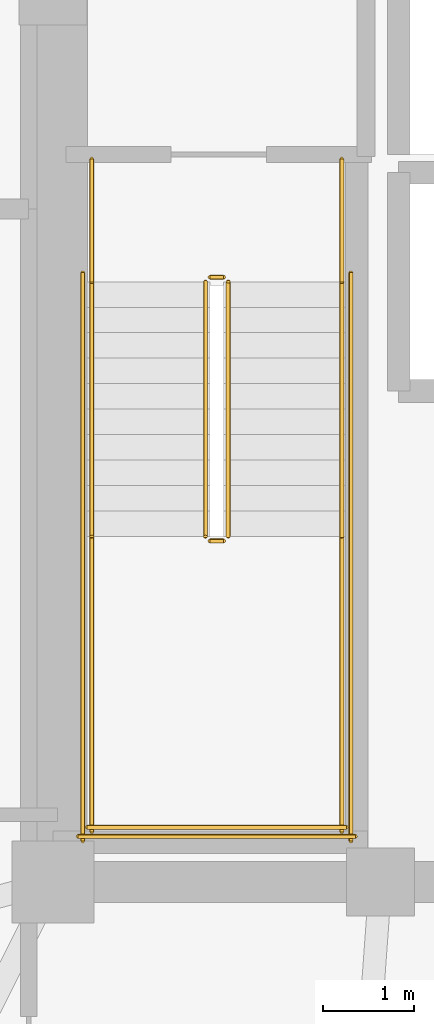
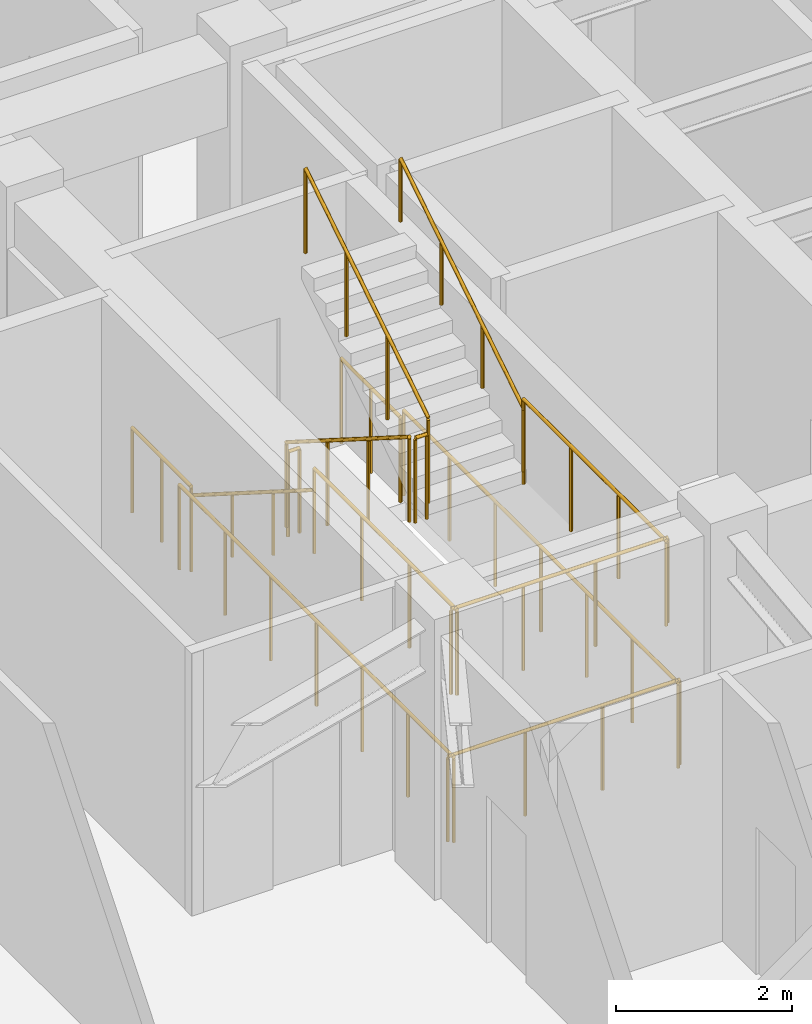
# One storey, part 11 of 12: 14 railings.
"""IFC4 building model written with IfcOpenShell, lengths in metres."""

import ifcopenshell
import ifcopenshell.guid

model = None  # the IFC model being written
_history = None  # IfcOwnerHistory: only IFC2X3 demands one
_inside = {}  # id of a spatial element -> (the spatial element, [elements in it])
_under = {}  # id of a project, library or spatial element -> (it, [spatial elements below it])
_declared = {}  # id of a project -> (the project, [libraries it declares])
_typed = {}  # id of a type object -> (the type object, [elements of that type])
_made_of = {}  # id of a material, layer set ... -> (it, [elements and type objects made of it])


def new_model(schema):
    """Start an empty IFC model of exactly this schema.

    Asked for "IFC4X3", IfcOpenShell would pick the latest addendum, in which some entities
    have other attributes; the version numbers below select the first issue.
    IFC2X3 requires an IfcOwnerHistory on every rooted entity: one is made here for all.
    """
    global model, _history
    if schema == "IFC4X3":
        model = ifcopenshell.file(schema_version=(4, 3, 0, 0))
    else:
        model = ifcopenshell.file(schema=schema)
    _inside.clear()
    _under.clear()
    _declared.clear()
    _typed.clear()
    _made_of.clear()
    _history = None
    if model.schema == "IFC2X3":
        org = make("IfcOrganization", Name="unknown")
        user = make(
            "IfcPersonAndOrganization",
            ThePerson=make("IfcPerson", FamilyName="unknown"),
            TheOrganization=org,
        )
        app = make(
            "IfcApplication",
            ApplicationDeveloper=org,
            Version="unknown",
            ApplicationFullName="unknown",
            ApplicationIdentifier="unknown",
        )
        _history = make(
            "IfcOwnerHistory",
            OwningUser=user,
            OwningApplication=app,
            ChangeAction="ADDED",
            CreationDate=0,
        )
    return model


def make(cls, **values):
    """One entity of the class cls with the attributes given. An attribute that is None is left unset."""
    return model.create_entity(
        cls, **{name: value for name, value in values.items() if value is not None}
    )


def rooted(cls, **values):
    """An entity with a GlobalId (a new one), such as an element, a storey or a relation."""
    return make(cls, GlobalId=ifcopenshell.guid.new(), OwnerHistory=_history, **values)


def si_unit(unit_type, name, prefix=None):
    """IfcSIUnit, for example si_unit("LENGTHUNIT", "METRE", prefix="MILLI")."""
    return make("IfcSIUnit", UnitType=unit_type, Prefix=prefix, Name=name)


def assignment(units):
    """IfcUnitAssignment: the units of a project."""
    return None if units is None else make("IfcUnitAssignment", Units=units)


def point(xyz):
    """IfcCartesianPoint."""
    return None if xyz is None else make("IfcCartesianPoint", Coordinates=xyz)


def direction(xyz):
    """IfcDirection."""
    return None if xyz is None else make("IfcDirection", DirectionRatios=xyz)


def frame(location, z_axis=None, x_axis=None):
    """IfcAxis2Placement3D, a coordinate frame: its origin and axes. An axis left out is left unset."""
    return make(
        "IfcAxis2Placement3D",
        Location=point(location),
        Axis=direction(z_axis),
        RefDirection=direction(x_axis),
    )


def frame_2d(location, x_axis=None):
    """IfcAxis2Placement2D, a coordinate frame in the plane: its origin and x axis."""
    return make(
        "IfcAxis2Placement2D", Location=point(location), RefDirection=direction(x_axis)
    )


def origin():
    """The frame at (0, 0, 0) with its axes left unset."""
    return frame((0.0, 0.0, 0.0))


def origin_2d():
    """The frame at (0, 0) in the plane with its x axis left unset."""
    return frame_2d((0.0, 0.0))


def place(relative_to, where):
    """IfcLocalPlacement: puts the frame where relative to a parent placement (None: the world)."""
    return make(
        "IfcLocalPlacement", PlacementRelTo=relative_to, RelativePlacement=where
    )


def context(
    kind, dimensions, precision=None, world=None, true_north=None, identifier=None
):
    """IfcGeometricRepresentationContext, for example the 3D "Model" context."""
    return make(
        "IfcGeometricRepresentationContext",
        ContextIdentifier=identifier,
        ContextType=kind,
        CoordinateSpaceDimension=dimensions,
        Precision=precision,
        WorldCoordinateSystem=world,
        TrueNorth=true_north,
    )


def subcontext(parent, identifier, kind, view, scale=None):
    """IfcGeometricRepresentationSubContext, for example "Body" below "Model"."""
    return make(
        "IfcGeometricRepresentationSubContext",
        ContextIdentifier=identifier,
        ContextType=kind,
        ParentContext=parent,
        TargetScale=scale,
        TargetView=view,
    )


def project(units=None, contexts=None):
    """IfcProject with its units and contexts."""
    return rooted(
        "IfcProject",
        Name="project",
        RepresentationContexts=contexts,
        UnitsInContext=assignment(units),
    )


def spatial(cls, under=None, at=None, **own):
    """A site, building, storey or space (cls), placed at a placement, below another one or the project."""
    s = rooted(cls, ObjectPlacement=at, **own)
    if under is not None:
        _under.setdefault(under.id(), (under, []))[1].append(s)
    return s


def profile(cls, at=None, kind="AREA", **sizes):
    """A parametric profile (cls). Its sizes go by their IFC names, for example OverallWidth=200.0."""
    return make(cls, ProfileType=kind, Position=at, **sizes)


def circle(**sizes):
    """IfcCircleProfileDef."""
    return profile("IfcCircleProfileDef", **sizes)


def extrude(swept, where, along, depth):
    """IfcExtrudedAreaSolid: the profile swept, set in the frame where, extruded along a direction by depth."""
    return make(
        "IfcExtrudedAreaSolid",
        SweptArea=swept,
        Position=where,
        ExtrudedDirection=direction(along),
        Depth=depth,
    )


def shape(context_of_items, identifier, shape_type, items):
    """IfcShapeRepresentation: the items that make up one representation, for example the "Body"."""
    return make(
        "IfcShapeRepresentation",
        ContextOfItems=context_of_items,
        RepresentationIdentifier=identifier,
        RepresentationType=shape_type,
        Items=items,
    )


def material(Name=None, Category=None):
    """IfcMaterial."""
    return make("IfcMaterial", Name=Name, Category=Category)


def made_of(thing, what):
    """Note that an element or type object is made of a material, layer set ...; save() writes the relation."""
    if what is not None:
        _made_of.setdefault(what.id(), (what, []))[1].append(thing)
    return thing


def type_object(cls, material=None, **own):
    """A type object (cls), such as IfcWallType, which elements share."""
    return made_of(rooted(cls, **own), material)


def element(
    cls,
    number,
    at=None,
    inside=None,
    cuts=None,
    type_object=None,
    material=None,
    context=None,
    identifier="Body",
    shape_type=None,
    held_by="IfcProductDefinitionShape",
    body=None,
    shapes=None,
    **own,
):
    """One element of the class cls, such as IfcWall. Its Tag is "e" and its number.

    at: its placement. inside: the storey or other place that contains it. cuts: it is an
    opening in that element (IfcRelVoidsElement). A single representation is given by context,
    identifier, shape_type and body (its items); several are given by shapes. held_by: the class
    of the entity that holds the representations. save() writes the other relations.
    """
    e = rooted(cls, Tag="e%d" % number, ObjectPlacement=at, **own)
    if body is not None:
        shapes = [shape(context, identifier, shape_type, body)]
    if shapes is not None:
        e.Representation = make(held_by, Representations=shapes)
    if inside is not None:
        _inside.setdefault(inside.id(), (inside, []))[1].append(e)
    if cuts is not None:
        rooted(
            "IfcRelVoidsElement", RelatingBuildingElement=cuts, RelatedOpeningElement=e
        )
    if type_object is not None:
        _typed.setdefault(type_object.id(), (type_object, []))[1].append(e)
    return made_of(e, material)


def aggregate(whole, parts):
    """IfcRelAggregates: a whole, such as a stair, and the parts it consists of."""
    return rooted("IfcRelAggregates", RelatingObject=whole, RelatedObjects=parts)


def save(model, path):
    """Write the relations noted so far, then the file.

    IfcRelAggregates (storeys below a building ...), IfcRelContainedInSpatialStructure (elements
    in a storey), IfcRelDefinesByType, IfcRelAssociatesMaterial and IfcRelDeclares: one each for
    every whole, place, type object, material and project.
    """
    for whole, parts in _under.values():
        aggregate(whole, parts)
    for where, things in _inside.values():
        rooted(
            "IfcRelContainedInSpatialStructure",
            RelatedElements=things,
            RelatingStructure=where,
        )
    for kind, things in _typed.values():
        rooted("IfcRelDefinesByType", RelatedObjects=things, RelatingType=kind)
    for what, things in _made_of.values():
        rooted("IfcRelAssociatesMaterial", RelatedObjects=things, RelatingMaterial=what)
    for by, libraries in _declared.values():
        rooted("IfcRelDeclares", RelatingContext=by, RelatedDefinitions=libraries)
    model.write(path)


model = new_model("IFC4")

# Units and contexts
model_context = context("Model", 3, precision=1e-05, world=origin(), true_north=direction((0.0, 1.0)))
body_context = subcontext(model_context, "Body", "Model", "MODEL_VIEW")
ifc_project = project(units=[si_unit("LENGTHUNIT", "METRE"), si_unit("AREAUNIT", "SQUARE_METRE"), si_unit("VOLUMEUNIT", "CUBIC_METRE"), si_unit("PLANEANGLEUNIT", "RADIAN"), si_unit("MASSUNIT", "GRAM", prefix="KILO")], contexts=[model_context])

# Site, building, storey
site_placement = place(None, origin())
site = spatial("IfcSite", under=ifc_project, at=site_placement, CompositionType="ELEMENT")
building_placement = place(site_placement, origin())
building = spatial("IfcBuilding", under=site, at=building_placement, Name="Voryun Gate Residences", CompositionType="ELEMENT")
storey_placement = place(building_placement, frame((0.0, 0.0, 179.39990234375)))
storey = spatial("IfcBuildingStorey", under=building, at=storey_placement, Name="L44", CompositionType="ELEMENT", Elevation=179.39990234375)

# Railings
ifc_material_1 = material(Name="Painted steel", Category="steel")
railing_type_1 = type_object("IfcRailingType", Name="RAIL_STAIR_GUARD_1200", PredefinedType="GUARDRAIL", material=ifc_material_1)
railing_1_placement = place(storey_placement, frame((-17.52490234375, -0.800048828125, 0.177490234375)))
element("IfcRailing", 1, at=railing_1_placement, inside=storey, type_object=railing_type_1, Name="L44 ST-W1 stair guard 1", PredefinedType="GUARDRAIL", context=body_context, shape_type="SweptSolid", body=[
    extrude(circle(Radius=0.02392578125, at=origin_2d()), frame((0.0, 0.0, 1.17578125), z_axis=(0.0, -0.844908973607, 0.534910110503), x_axis=(1.0, 0.0, 0.0)), (0.0, 0.0, 1.0), 3.31396484375),
    extrude(circle(Radius=0.02099609375, at=origin_2d()), origin(), (0.0, 0.0, 1.0), 1.15185546875),
    extrude(circle(Radius=0.02099609375, at=origin_2d()), frame((0.0, -0.933349609375, 0.5908203125)), (0.0, 0.0, 1.0), 1.15185546875),
    extrude(circle(Radius=0.02099609375, at=origin_2d()), frame((0.0, -1.86669921875, 1.181884765625)), (0.0, 0.0, 1.0), 1.15185546875),
    extrude(circle(Radius=0.02099609375, at=origin_2d()), frame((0.0, -2.800048828125, 1.772705078125)), (0.0, 0.0, 1.0), 1.15185546875),
])
railing_2_placement = place(storey_placement, frame((-17.47509765625, -3.64990234375, 1.9501953125)))
element("IfcRailing", 2, at=railing_2_placement, inside=storey, type_object=railing_type_1, Name="L44 ST-W1 stair guard 2", PredefinedType="GUARDRAIL", context=body_context, shape_type="SweptSolid", body=[
    extrude(circle(Radius=0.02392578125, at=origin_2d()), frame((0.0, 0.0, 1.17578125), z_axis=(1.0, 0.0, 0.0), x_axis=(0.0, 1.0, 0.0)), (0.0, 0.0, 1.0), 0.150146484375),
    extrude(circle(Radius=0.02099609375, at=origin_2d()), origin(), (0.0, 0.0, 1.0), 1.15185546875),
    extrude(circle(Radius=0.02099609375, at=origin_2d()), frame((0.150146484375, 0.0, 0.0)), (0.0, 0.0, 1.0), 1.15185546875),
])
for number, where, name in (
    (3, (-18.77490234375, -3.60009765625, 1.9501953125), "L44 ST-W1 stair guard 3"),
    (4, (-16.02490234375, -3.60009765625, 1.9501953125), "L44 ST-W1 stair guard 4"),
):
    element("IfcRailing", number, at=place(storey_placement, frame(where)), inside=storey, type_object=railing_type_1, Name=name, PredefinedType="GUARDRAIL", context=body_context, shape_type="SweptSolid", body=[
        extrude(circle(Radius=0.02392578125, at=origin_2d()), frame((0.0, 0.0, 1.17578125), z_axis=(0.0, -1.0, 0.0), x_axis=(1.0, 0.0, 0.0)), (0.0, 0.0, 1.0), 3.25),
        extrude(circle(Radius=0.02099609375, at=origin_2d()), origin(), (0.0, 0.0, 1.0), 1.15185546875),
        extrude(circle(Radius=0.02099609375, at=origin_2d()), frame((0.0, -1.083251953125, 0.0)), (0.0, 0.0, 1.0), 1.15185546875),
        extrude(circle(Radius=0.02099609375, at=origin_2d()), frame((0.0, -2.166748046875, 0.0)), (0.0, 0.0, 1.0), 1.15185546875),
        extrude(circle(Radius=0.02099609375, at=origin_2d()), frame((0.0, -3.25, 0.0)), (0.0, 0.0, 1.0), 1.15185546875),
    ])
railing_3_placement = place(storey_placement, frame((-18.824951171875, -6.800048828125, 1.9501953125)))
element("IfcRailing", 5, at=railing_3_placement, inside=storey, type_object=railing_type_1, Name="L44 ST-W1 stair guard 5", PredefinedType="GUARDRAIL", context=body_context, shape_type="SweptSolid", body=[
    extrude(circle(Radius=0.02392578125, at=origin_2d()), frame((0.0, 0.0, 1.17578125), z_axis=(1.0, 0.0, 0.0), x_axis=(0.0, 1.0, 0.0)), (0.0, 0.0, 1.0), 2.849853515625),
    extrude(circle(Radius=0.02099609375, at=origin_2d()), origin(), (0.0, 0.0, 1.0), 1.15185546875),
    extrude(circle(Radius=0.02099609375, at=origin_2d()), frame((0.949951171875, 0.0, 0.0)), (0.0, 0.0, 1.0), 1.15185546875),
    extrude(circle(Radius=0.02099609375, at=origin_2d()), frame((1.89990234375, 0.0, 0.0)), (0.0, 0.0, 1.0), 1.15185546875),
    extrude(circle(Radius=0.02099609375, at=origin_2d()), frame((2.849853515625, 0.0, 0.0)), (0.0, 0.0, 1.0), 1.15185546875),
])
railing_4_placement = place(storey_placement, frame((-17.27490234375, -3.60009765625, 2.12744140625)))
element("IfcRailing", 6, at=railing_4_placement, inside=storey, type_object=railing_type_1, Name="L44 ST-W1 stair guard 6", PredefinedType="GUARDRAIL", context=body_context, shape_type="SweptSolid", body=[
    extrude(circle(Radius=0.02392578125, at=origin_2d()), frame((0.0, 0.0, 1.17578125), z_axis=(0.0, 0.844908973607, 0.534910110503), x_axis=(-1.0, 0.0, 0.0)), (0.0, 0.0, 1.0), 3.31396484375),
    extrude(circle(Radius=0.02099609375, at=origin_2d()), origin(), (0.0, 0.0, 1.0), 1.15185546875),
    extrude(circle(Radius=0.02099609375, at=origin_2d()), frame((0.0, 0.933349609375, 0.5908203125)), (0.0, 0.0, 1.0), 1.15185546875),
    extrude(circle(Radius=0.02099609375, at=origin_2d()), frame((0.0, 1.86669921875, 1.181884765625)), (0.0, 0.0, 1.0), 1.15185546875),
    extrude(circle(Radius=0.02099609375, at=origin_2d()), frame((0.0, 2.800048828125, 1.772705078125)), (0.0, 0.0, 1.0), 1.15185546875),
])
railing_5_placement = place(storey_placement, frame((-17.47509765625, -0.75, 0.0)))
element("IfcRailing", 7, at=railing_5_placement, inside=storey, type_object=railing_type_1, Name="L44 ST-W1 stair guard 7", PredefinedType="GUARDRAIL", context=body_context, shape_type="SweptSolid", body=[
    extrude(circle(Radius=0.02392578125, at=origin_2d()), frame((0.0, 0.0, 1.17578125), z_axis=(1.0, 0.0, 0.0), x_axis=(0.0, 1.0, 0.0)), (0.0, 0.0, 1.0), 0.150146484375),
    extrude(circle(Radius=0.02099609375, at=origin_2d()), origin(), (0.0, 0.0, 1.0), 1.15185546875),
    extrude(circle(Radius=0.02099609375, at=origin_2d()), frame((0.150146484375, 0.0, 0.0)), (0.0, 0.0, 1.0), 1.15185546875),
])
for number, where, name in (
    (8, (-18.77490234375, 0.550048828125, 0.0), "L44 ST-W1 stair guard 8"),
    (9, (-16.02490234375, 0.550048828125, 0.0), "L44 ST-W1 stair guard 9"),
):
    element("IfcRailing", number, at=place(storey_placement, frame(where)), inside=storey, type_object=railing_type_1, Name=name, PredefinedType="GUARDRAIL", context=body_context, shape_type="SweptSolid", body=[
        extrude(circle(Radius=0.02392578125, at=origin_2d()), frame((0.0, 0.0, 1.17578125), z_axis=(0.0, -1.0, 0.0), x_axis=(1.0, 0.0, 0.0)), (0.0, 0.0, 1.0), 1.35009765625),
        extrude(circle(Radius=0.02099609375, at=origin_2d()), origin(), (0.0, 0.0, 1.0), 1.15185546875),
        extrude(circle(Radius=0.02099609375, at=origin_2d()), frame((0.0, -0.675048828125, 0.0)), (0.0, 0.0, 1.0), 1.15185546875),
        extrude(circle(Radius=0.02099609375, at=origin_2d()), frame((0.0, -1.35009765625, 0.0)), (0.0, 0.0, 1.0), 1.15185546875),
    ])
for number, where, name in (
    (10, (-18.875, -0.699951171875, 0.0), "L44 ST-W1 stair guard 10"),
    (11, (-15.925048828125, -0.699951171875, 0.0), "L44 ST-W1 stair guard 11"),
):
    element("IfcRailing", number, at=place(storey_placement, frame(where)), inside=storey, type_object=railing_type_1, Name=name, PredefinedType="GUARDRAIL", context=body_context, shape_type="SweptSolid", body=[
        extrude(circle(Radius=0.02392578125, at=origin_2d()), frame((0.0, 0.0, 1.17578125), z_axis=(0.0, -1.0, 0.0), x_axis=(1.0, 0.0, 0.0)), (0.0, 0.0, 1.0), 6.25),
        extrude(circle(Radius=0.02099609375, at=origin_2d()), origin(), (0.0, 0.0, 1.0), 1.15185546875),
        extrude(circle(Radius=0.02099609375, at=origin_2d()), frame((0.0, -1.041748046875, 0.0)), (0.0, 0.0, 1.0), 1.15185546875),
        extrude(circle(Radius=0.02099609375, at=origin_2d()), frame((0.0, -2.083251953125, 0.0)), (0.0, 0.0, 1.0), 1.15185546875),
        extrude(circle(Radius=0.02099609375, at=origin_2d()), frame((0.0, -3.125, 0.0)), (0.0, 0.0, 1.0), 1.15185546875),
        extrude(circle(Radius=0.02099609375, at=origin_2d()), frame((0.0, -4.166748046875, 0.0)), (0.0, 0.0, 1.0), 1.15185546875),
        extrude(circle(Radius=0.02099609375, at=origin_2d()), frame((0.0, -5.208251953125, 0.0)), (0.0, 0.0, 1.0), 1.15185546875),
        extrude(circle(Radius=0.02099609375, at=origin_2d()), frame((0.0, -6.25, 0.0)), (0.0, 0.0, 1.0), 1.15185546875),
    ])
railing_6_placement = place(storey_placement, frame((-18.925048828125, -6.89990234375, 0.0)))
element("IfcRailing", 12, at=railing_6_placement, inside=storey, type_object=railing_type_1, Name="L44 ST-W1 stair guard 12", PredefinedType="GUARDRAIL", context=body_context, shape_type="SweptSolid", body=[
    extrude(circle(Radius=0.02392578125, at=origin_2d()), frame((0.0, 0.0, 1.17578125), z_axis=(1.0, 0.0, 0.0), x_axis=(0.0, 1.0, 0.0)), (0.0, 0.0, 1.0), 3.050048828125),
    extrude(circle(Radius=0.02099609375, at=origin_2d()), origin(), (0.0, 0.0, 1.0), 1.15185546875),
    extrude(circle(Radius=0.02099609375, at=origin_2d()), frame((1.0166015625, 0.0, 0.0)), (0.0, 0.0, 1.0), 1.15185546875),
    extrude(circle(Radius=0.02099609375, at=origin_2d()), frame((2.033447265625, 0.0, 0.0)), (0.0, 0.0, 1.0), 1.15185546875),
    extrude(circle(Radius=0.02099609375, at=origin_2d()), frame((3.050048828125, 0.0, 0.0)), (0.0, 0.0, 1.0), 1.15185546875),
])
ifc_material_2 = material(Name="Painted steel", Category="steel")
railing_type_2 = type_object("IfcRailingType", Name="RAIL_STAIR_HANDRAIL_900", PredefinedType="HANDRAIL", material=ifc_material_2)
railing_7_placement = place(storey_placement, frame((-18.77490234375, -0.800048828125, 0.177490234375)))
element("IfcRailing", 13, at=railing_7_placement, inside=storey, type_object=railing_type_2, Name="L44 ST-W1 stair handrail 1", PredefinedType="HANDRAIL", context=body_context, shape_type="SweptSolid", body=[
    extrude(circle(Radius=0.02392578125, at=origin_2d()), frame((0.0, 0.0, 0.8759765625), z_axis=(0.0, -0.844908973607, 0.534910110503), x_axis=(1.0, 0.0, 0.0)), (0.0, 0.0, 1.0), 3.31396484375),
    extrude(circle(Radius=0.02099609375, at=origin_2d()), origin(), (0.0, 0.0, 1.0), 0.851806640625),
    extrude(circle(Radius=0.02099609375, at=origin_2d()), frame((0.0, -0.933349609375, 0.5908203125)), (0.0, 0.0, 1.0), 0.851806640625),
    extrude(circle(Radius=0.02099609375, at=origin_2d()), frame((0.0, -1.86669921875, 1.181884765625)), (0.0, 0.0, 1.0), 0.851806640625),
    extrude(circle(Radius=0.02099609375, at=origin_2d()), frame((0.0, -2.800048828125, 1.772705078125)), (0.0, 0.0, 1.0), 0.851806640625),
])
railing_8_placement = place(storey_placement, frame((-16.02490234375, -3.60009765625, 2.12744140625)))
element("IfcRailing", 14, at=railing_8_placement, inside=storey, type_object=railing_type_2, Name="L44 ST-W1 stair handrail 2", PredefinedType="HANDRAIL", context=body_context, shape_type="SweptSolid", body=[
    extrude(circle(Radius=0.02392578125, at=origin_2d()), frame((0.0, 0.0, 0.8759765625), z_axis=(0.0, 0.844908973607, 0.534910110503), x_axis=(-1.0, 0.0, 0.0)), (0.0, 0.0, 1.0), 3.31396484375),
    extrude(circle(Radius=0.02099609375, at=origin_2d()), origin(), (0.0, 0.0, 1.0), 0.851806640625),
    extrude(circle(Radius=0.02099609375, at=origin_2d()), frame((0.0, 0.933349609375, 0.5908203125)), (0.0, 0.0, 1.0), 0.851806640625),
    extrude(circle(Radius=0.02099609375, at=origin_2d()), frame((0.0, 1.86669921875, 1.181884765625)), (0.0, 0.0, 1.0), 0.851806640625),
    extrude(circle(Radius=0.02099609375, at=origin_2d()), frame((0.0, 2.800048828125, 1.772705078125)), (0.0, 0.0, 1.0), 0.851806640625),
])

save(model, "model.ifc")
